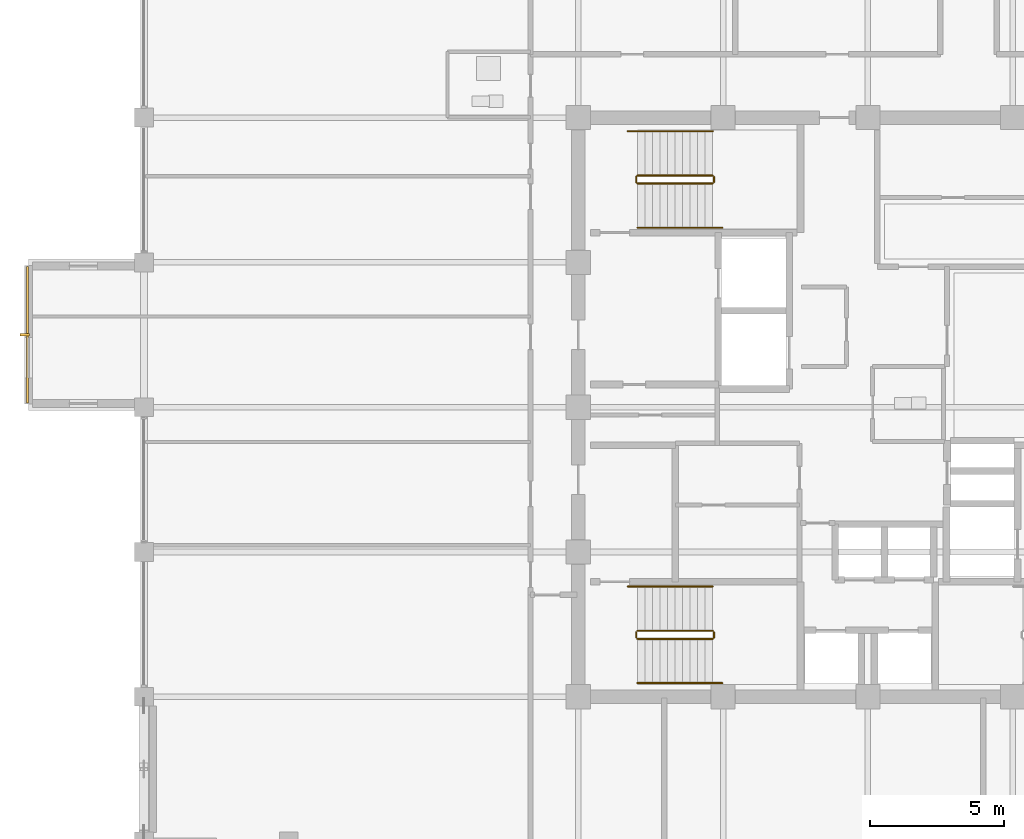
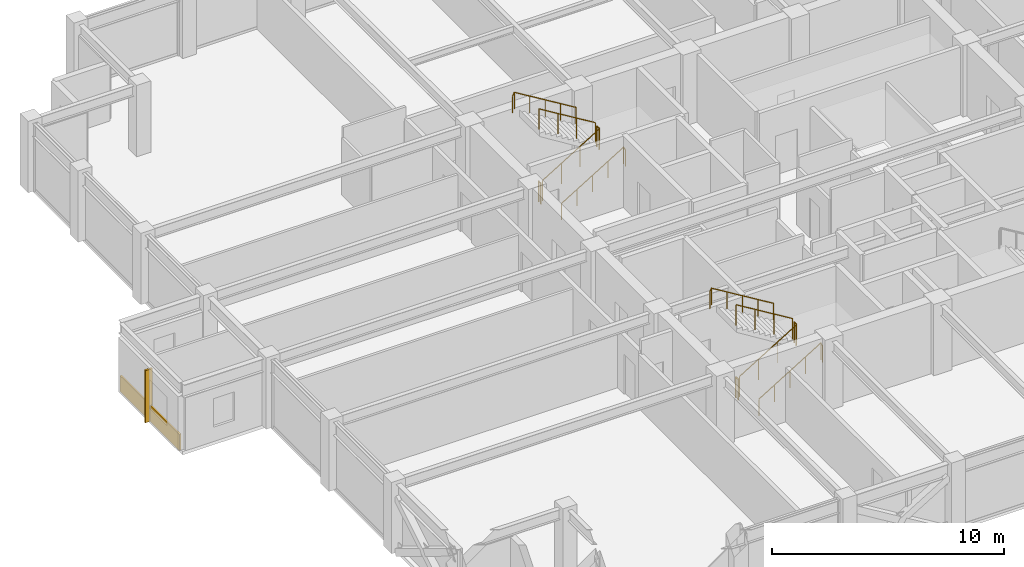
# One storey, part 29 of 31: 12 railings, 1 covering, 1 shading device.
"""IFC4 building model written with IfcOpenShell, lengths in metres."""

from ifc_helpers import new_model, si_unit, direction, frame, origin, origin_2d, place, context, subcontext, project, spatial, rectangle, circle, extrude, material, layer, layer_set, type_object, element, save


model = new_model("IFC4")

# Units and contexts
model_context = context("Model", 3, precision=1e-05, world=origin(), true_north=direction((0.0, 1.0)))
body_context = subcontext(model_context, "Body", "Model", "MODEL_VIEW")
ifc_project = project(units=[si_unit("LENGTHUNIT", "METRE"), si_unit("AREAUNIT", "SQUARE_METRE"), si_unit("VOLUMEUNIT", "CUBIC_METRE"), si_unit("PLANEANGLEUNIT", "RADIAN"), si_unit("MASSUNIT", "GRAM", prefix="KILO")], contexts=[model_context])

# Site, building, storey
site_placement = place(None, origin())
site = spatial("IfcSite", under=ifc_project, at=site_placement, CompositionType="ELEMENT")
building_placement = place(site_placement, origin())
building = spatial("IfcBuilding", under=site, at=building_placement, Name="Surkhivell Harbour Commons", CompositionType="ELEMENT")
storey_placement = place(building_placement, frame((0.0, 0.0, 322.5)))
storey = spatial("IfcBuildingStorey", under=building, at=storey_placement, Name="L84", CompositionType="ELEMENT", Elevation=322.5)

# Covering
ifc_material_1 = material(Name="Emerald-teal enamelled aluminium cassette panel", Category="aluminium")
ifc_layer = layer(ifc_material_1, 0.068115234375)
ifc_layer_set = layer_set([ifc_layer], Name="Emerald-teal enamelled aluminium cassette panel")
covering_type = type_object("IfcCoveringType", Name="COV-CLAD-EME", PredefinedType="CLADDING", material=ifc_layer_set)
covering_placement = place(storey_placement, frame((-31.340087890625, 2.699951171875, 0.0), z_axis=(0.0, 0.0, 1.0), x_axis=(1.0, 0.0, 0.0)))
element("IfcCovering", 1, at=covering_placement, inside=storey, type_object=covering_type, Name="L84 Coloured-Panel Box Spandrel Cassette 02", PredefinedType="CLADDING", context=body_context, shape_type="SweptSolid", body=[
    extrude(rectangle(XDim=0.080078125, YDim=5.10009765625, at=origin_2d()), origin(), (0.0, 0.0, 1.0), 0.840087890625),
])

# Railings
ifc_material_2 = material(Name="Galvanised and painted steel S355 guard rail", Category="steel")
railing_type_1 = type_object("IfcRailingType", Name="RAL-ST-GRD1100", PredefinedType="GUARDRAIL", material=ifc_material_2)
railing_1_placement = place(storey_placement, frame((-8.590087890625, 8.340087890625, 0.17041015625)))
element("IfcRailing", 2, at=railing_1_placement, inside=storey, type_object=railing_type_1, Name="L84 ST1 stair guard 1", PredefinedType="GUARDRAIL", context=body_context, shape_type="SweptSolid", body=[
    extrude(circle(Radius=0.02392578125, at=origin_2d()), frame((0.0, 0.0, 1.076171875), z_axis=(0.854169791009, 0.0, 0.51999420009), x_axis=(0.0, 1.0, 0.0)), (0.0, 0.0, 1.0), 3.278076171875),
    extrude(circle(Radius=0.02099609375, at=origin_2d()), origin(), (0.0, 0.0, 1.0), 1.052001953125),
    extrude(circle(Radius=0.02099609375, at=origin_2d()), frame((0.933349609375, 0.0, 0.568115234375)), (0.0, 0.0, 1.0), 1.052001953125),
    extrude(circle(Radius=0.02099609375, at=origin_2d()), frame((1.86669921875, 0.0, 1.136474609375)), (0.0, 0.0, 1.0), 1.052001953125),
    extrude(circle(Radius=0.02099609375, at=origin_2d()), frame((2.800048828125, 0.0, 1.70458984375)), (0.0, 0.0, 1.0), 1.052001953125),
])
railing_2_placement = place(storey_placement, frame((-5.739990234375, 8.389892578125, 1.875)))
element("IfcRailing", 3, at=railing_2_placement, inside=storey, type_object=railing_type_1, Name="L84 ST1 stair guard 2", PredefinedType="GUARDRAIL", context=body_context, shape_type="SweptSolid", body=[
    extrude(circle(Radius=0.02392578125, at=origin_2d()), frame((0.0, 0.0, 1.076171875), z_axis=(0.0, 1.0, 0.0), x_axis=(-1.0, 0.0, 0.0)), (0.0, 0.0, 1.0), 0.2001953125),
    extrude(circle(Radius=0.02099609375, at=origin_2d()), origin(), (0.0, 0.0, 1.0), 1.052001953125),
    extrude(circle(Radius=0.02099609375, at=origin_2d()), frame((0.0, 0.2001953125, 0.0)), (0.0, 0.0, 1.0), 1.052001953125),
])
railing_3_placement = place(storey_placement, frame((-5.7900390625, 8.639892578125, 2.04541015625)))
element("IfcRailing", 4, at=railing_3_placement, inside=storey, type_object=railing_type_1, Name="L84 ST1 stair guard 3", PredefinedType="GUARDRAIL", context=body_context, shape_type="SweptSolid", body=[
    extrude(circle(Radius=0.02392578125, at=origin_2d()), frame((0.0, 0.0, 1.076171875), z_axis=(-0.854169791009, 0.0, 0.51999420009), x_axis=(0.0, -1.0, 0.0)), (0.0, 0.0, 1.0), 3.278076171875),
    extrude(circle(Radius=0.02099609375, at=origin_2d()), origin(), (0.0, 0.0, 1.0), 1.052001953125),
    extrude(circle(Radius=0.02099609375, at=origin_2d()), frame((-0.933349609375, 0.0, 0.568115234375)), (0.0, 0.0, 1.0), 1.052001953125),
    extrude(circle(Radius=0.02099609375, at=origin_2d()), frame((-1.86669921875, 0.0, 1.136474609375)), (0.0, 0.0, 1.0), 1.052001953125),
    extrude(circle(Radius=0.02099609375, at=origin_2d()), frame((-2.800048828125, 0.0, 1.70458984375)), (0.0, 0.0, 1.0), 1.052001953125),
])
railing_4_placement = place(storey_placement, frame((-8.639892578125, 8.389892578125, 0.0)))
element("IfcRailing", 5, at=railing_4_placement, inside=storey, type_object=railing_type_1, Name="L84 ST1 stair guard 4", PredefinedType="GUARDRAIL", context=body_context, shape_type="SweptSolid", body=[
    extrude(circle(Radius=0.02392578125, at=origin_2d()), frame((0.0, 0.0, 1.076171875), z_axis=(0.0, 1.0, 0.0), x_axis=(-1.0, 0.0, 0.0)), (0.0, 0.0, 1.0), 0.2001953125),
    extrude(circle(Radius=0.02099609375, at=origin_2d()), origin(), (0.0, 0.0, 1.0), 1.052001953125),
    extrude(circle(Radius=0.02099609375, at=origin_2d()), frame((0.0, 0.2001953125, 0.0)), (0.0, 0.0, 1.0), 1.052001953125),
])
railing_5_placement = place(storey_placement, frame((-8.590087890625, -8.639892578125, 0.17041015625)))
element("IfcRailing", 6, at=railing_5_placement, inside=storey, type_object=railing_type_1, Name="L84 ST3 stair guard 1", PredefinedType="GUARDRAIL", context=body_context, shape_type="SweptSolid", body=[
    extrude(circle(Radius=0.02392578125, at=origin_2d()), frame((0.0, 0.0, 1.076171875), z_axis=(0.854169791009, 0.0, 0.51999420009), x_axis=(0.0, 1.0, 0.0)), (0.0, 0.0, 1.0), 3.278076171875),
    extrude(circle(Radius=0.02099609375, at=origin_2d()), origin(), (0.0, 0.0, 1.0), 1.052001953125),
    extrude(circle(Radius=0.02099609375, at=origin_2d()), frame((0.933349609375, 0.0, 0.568115234375)), (0.0, 0.0, 1.0), 1.052001953125),
    extrude(circle(Radius=0.02099609375, at=origin_2d()), frame((1.86669921875, 0.0, 1.136474609375)), (0.0, 0.0, 1.0), 1.052001953125),
    extrude(circle(Radius=0.02099609375, at=origin_2d()), frame((2.800048828125, 0.0, 1.70458984375)), (0.0, 0.0, 1.0), 1.052001953125),
])
railing_6_placement = place(storey_placement, frame((-5.739990234375, -8.590087890625, 1.875)))
element("IfcRailing", 7, at=railing_6_placement, inside=storey, type_object=railing_type_1, Name="L84 ST3 stair guard 2", PredefinedType="GUARDRAIL", context=body_context, shape_type="SweptSolid", body=[
    extrude(circle(Radius=0.02392578125, at=origin_2d()), frame((0.0, 0.0, 1.076171875), z_axis=(0.0, 1.0, 0.0), x_axis=(-1.0, 0.0, 0.0)), (0.0, 0.0, 1.0), 0.2001953125),
    extrude(circle(Radius=0.02099609375, at=origin_2d()), origin(), (0.0, 0.0, 1.0), 1.052001953125),
    extrude(circle(Radius=0.02099609375, at=origin_2d()), frame((0.0, 0.2001953125, 0.0)), (0.0, 0.0, 1.0), 1.052001953125),
])
railing_7_placement = place(storey_placement, frame((-5.7900390625, -8.340087890625, 2.04541015625)))
element("IfcRailing", 8, at=railing_7_placement, inside=storey, type_object=railing_type_1, Name="L84 ST3 stair guard 3", PredefinedType="GUARDRAIL", context=body_context, shape_type="SweptSolid", body=[
    extrude(circle(Radius=0.02392578125, at=origin_2d()), frame((0.0, 0.0, 1.076171875), z_axis=(-0.854169791009, 0.0, 0.51999420009), x_axis=(0.0, -1.0, 0.0)), (0.0, 0.0, 1.0), 3.278076171875),
    extrude(circle(Radius=0.02099609375, at=origin_2d()), origin(), (0.0, 0.0, 1.0), 1.052001953125),
    extrude(circle(Radius=0.02099609375, at=origin_2d()), frame((-0.933349609375, 0.0, 0.568115234375)), (0.0, 0.0, 1.0), 1.052001953125),
    extrude(circle(Radius=0.02099609375, at=origin_2d()), frame((-1.86669921875, 0.0, 1.136474609375)), (0.0, 0.0, 1.0), 1.052001953125),
    extrude(circle(Radius=0.02099609375, at=origin_2d()), frame((-2.800048828125, 0.0, 1.70458984375)), (0.0, 0.0, 1.0), 1.052001953125),
])
railing_8_placement = place(storey_placement, frame((-8.639892578125, -8.590087890625, 0.0)))
element("IfcRailing", 9, at=railing_8_placement, inside=storey, type_object=railing_type_1, Name="L84 ST3 stair guard 4", PredefinedType="GUARDRAIL", context=body_context, shape_type="SweptSolid", body=[
    extrude(circle(Radius=0.02392578125, at=origin_2d()), frame((0.0, 0.0, 1.076171875), z_axis=(0.0, 1.0, 0.0), x_axis=(-1.0, 0.0, 0.0)), (0.0, 0.0, 1.0), 0.2001953125),
    extrude(circle(Radius=0.02099609375, at=origin_2d()), origin(), (0.0, 0.0, 1.0), 1.052001953125),
    extrude(circle(Radius=0.02099609375, at=origin_2d()), frame((0.0, 0.2001953125, 0.0)), (0.0, 0.0, 1.0), 1.052001953125),
])
ifc_material_3 = material(Name="Brushed stainless steel S355 handrail", Category="steel")
railing_type_2 = type_object("IfcRailingType", Name="RAL-ST-HND900", PredefinedType="HANDRAIL", material=ifc_material_3)
railing_9_placement = place(storey_placement, frame((-8.590087890625, 6.68994140625, 0.17041015625)))
element("IfcRailing", 10, at=railing_9_placement, inside=storey, type_object=railing_type_2, Name="L84 ST1 stair handrail 1", PredefinedType="HANDRAIL", context=body_context, shape_type="SweptSolid", body=[
    extrude(circle(Radius=0.02392578125, at=origin_2d()), frame((0.0, 0.0, 0.8759765625), z_axis=(0.854177636135, 0.0, 0.519981313056), x_axis=(0.0, 1.0, 0.0)), (0.0, 0.0, 1.0), 3.60595703125),
    extrude(circle(Radius=0.02392578125, at=origin_2d()), frame((3.080078125, 0.0, 2.7509765625), z_axis=(0.425297416671, 0.0, -0.905053648892), x_axis=(0.0, 1.0, 0.0)), (0.0, 0.0, 1.0), 0.188232421875),
    extrude(circle(Radius=0.02099609375, at=origin_2d()), origin(), (0.0, 0.0, 1.0), 0.851806640625),
    extrude(circle(Radius=0.02099609375, at=origin_2d()), frame((0.77001953125, 0.0, 0.46875)), (0.0, 0.0, 1.0), 0.851806640625),
    extrude(circle(Radius=0.02099609375, at=origin_2d()), frame((1.5400390625, 0.0, 0.9375)), (0.0, 0.0, 1.0), 0.851806640625),
    extrude(circle(Radius=0.02099609375, at=origin_2d()), frame((2.31005859375, 0.0, 1.40625)), (0.0, 0.0, 1.0), 0.851806640625),
    extrude(circle(Radius=0.02099609375, at=origin_2d()), frame((3.080078125, 0.0, 1.875)), (0.0, 0.0, 1.0), 0.851806640625),
    extrude(circle(Radius=0.02099609375, at=origin_2d()), frame((3.16015625, 0.0, 1.70458984375)), (0.0, 0.0, 1.0), 0.851806640625),
])
railing_10_placement = place(storey_placement, frame((-5.7900390625, 10.2900390625, 2.04541015625)))
element("IfcRailing", 11, at=railing_10_placement, inside=storey, type_object=railing_type_2, Name="L84 ST1 stair handrail 2", PredefinedType="HANDRAIL", context=body_context, shape_type="SweptSolid", body=[
    extrude(circle(Radius=0.02392578125, at=origin_2d()), frame((0.0, 0.0, 0.8759765625), z_axis=(-0.854177636135, 0.0, 0.519981313056), x_axis=(0.0, -1.0, 0.0)), (0.0, 0.0, 1.0), 3.60595703125),
    extrude(circle(Radius=0.02392578125, at=origin_2d()), frame((-3.080078125, 0.0, 2.7509765625), z_axis=(-0.424234432967, 0.0, -0.905552398199), x_axis=(0.0, -1.0, 0.0)), (0.0, 0.0, 1.0), 0.188232421875),
    extrude(circle(Radius=0.02099609375, at=origin_2d()), origin(), (0.0, 0.0, 1.0), 0.851806640625),
    extrude(circle(Radius=0.02099609375, at=origin_2d()), frame((-0.77001953125, 0.0, 0.46875)), (0.0, 0.0, 1.0), 0.851806640625),
    extrude(circle(Radius=0.02099609375, at=origin_2d()), frame((-1.5400390625, 0.0, 0.9375)), (0.0, 0.0, 1.0), 0.851806640625),
    extrude(circle(Radius=0.02099609375, at=origin_2d()), frame((-2.31005859375, 0.0, 1.40625)), (0.0, 0.0, 1.0), 0.851806640625),
    extrude(circle(Radius=0.02099609375, at=origin_2d()), frame((-3.080078125, 0.0, 1.875)), (0.0, 0.0, 1.0), 0.851806640625),
    extrude(circle(Radius=0.02099609375, at=origin_2d()), frame((-3.159912109375, 0.0, 1.70458984375)), (0.0, 0.0, 1.0), 0.851806640625),
])
railing_11_placement = place(storey_placement, frame((-8.590087890625, -10.2900390625, 0.17041015625)))
element("IfcRailing", 12, at=railing_11_placement, inside=storey, type_object=railing_type_2, Name="L84 ST3 stair handrail 1", PredefinedType="HANDRAIL", context=body_context, shape_type="SweptSolid", body=[
    extrude(circle(Radius=0.02392578125, at=origin_2d()), frame((0.0, 0.0, 0.8759765625), z_axis=(0.854177636135, 0.0, 0.519981313056), x_axis=(0.0, 1.0, 0.0)), (0.0, 0.0, 1.0), 3.60595703125),
    extrude(circle(Radius=0.02392578125, at=origin_2d()), frame((3.080078125, 0.0, 2.7509765625), z_axis=(0.425297416671, 0.0, -0.905053648892), x_axis=(0.0, 1.0, 0.0)), (0.0, 0.0, 1.0), 0.188232421875),
    extrude(circle(Radius=0.02099609375, at=origin_2d()), origin(), (0.0, 0.0, 1.0), 0.851806640625),
    extrude(circle(Radius=0.02099609375, at=origin_2d()), frame((0.77001953125, 0.0, 0.46875)), (0.0, 0.0, 1.0), 0.851806640625),
    extrude(circle(Radius=0.02099609375, at=origin_2d()), frame((1.5400390625, 0.0, 0.9375)), (0.0, 0.0, 1.0), 0.851806640625),
    extrude(circle(Radius=0.02099609375, at=origin_2d()), frame((2.31005859375, 0.0, 1.40625)), (0.0, 0.0, 1.0), 0.851806640625),
    extrude(circle(Radius=0.02099609375, at=origin_2d()), frame((3.080078125, 0.0, 1.875)), (0.0, 0.0, 1.0), 0.851806640625),
    extrude(circle(Radius=0.02099609375, at=origin_2d()), frame((3.16015625, 0.0, 1.70458984375)), (0.0, 0.0, 1.0), 0.851806640625),
])
railing_12_placement = place(storey_placement, frame((-5.7900390625, -6.68994140625, 2.04541015625)))
element("IfcRailing", 13, at=railing_12_placement, inside=storey, type_object=railing_type_2, Name="L84 ST3 stair handrail 2", PredefinedType="HANDRAIL", context=body_context, shape_type="SweptSolid", body=[
    extrude(circle(Radius=0.02392578125, at=origin_2d()), frame((0.0, 0.0, 0.8759765625), z_axis=(-0.854177636135, 0.0, 0.519981313056), x_axis=(0.0, -1.0, 0.0)), (0.0, 0.0, 1.0), 3.60595703125),
    extrude(circle(Radius=0.02392578125, at=origin_2d()), frame((-3.080078125, 0.0, 2.7509765625), z_axis=(-0.424234432967, 0.0, -0.905552398199), x_axis=(0.0, -1.0, 0.0)), (0.0, 0.0, 1.0), 0.188232421875),
    extrude(circle(Radius=0.02099609375, at=origin_2d()), origin(), (0.0, 0.0, 1.0), 0.851806640625),
    extrude(circle(Radius=0.02099609375, at=origin_2d()), frame((-0.77001953125, 0.0, 0.46875)), (0.0, 0.0, 1.0), 0.851806640625),
    extrude(circle(Radius=0.02099609375, at=origin_2d()), frame((-1.5400390625, 0.0, 0.9375)), (0.0, 0.0, 1.0), 0.851806640625),
    extrude(circle(Radius=0.02099609375, at=origin_2d()), frame((-2.31005859375, 0.0, 1.40625)), (0.0, 0.0, 1.0), 0.851806640625),
    extrude(circle(Radius=0.02099609375, at=origin_2d()), frame((-3.080078125, 0.0, 1.875)), (0.0, 0.0, 1.0), 0.851806640625),
    extrude(circle(Radius=0.02099609375, at=origin_2d()), frame((-3.159912109375, 0.0, 1.70458984375)), (0.0, 0.0, 1.0), 0.851806640625),
])

# Shading device
ifc_material_4 = material(Name="Anodised pale-metal aluminium solar fin", Category="aluminium")
shading_device_type = type_object("IfcShadingDeviceType", Name="SHD-FIN-VERT", PredefinedType="USERDEFINED", material=ifc_material_4)
shading_device_placement = place(storey_placement, frame((-31.43994140625, 2.699951171875, 0.0048828125), z_axis=(0.0, 0.0, 1.0), x_axis=(1.0, 0.0, 0.0)))
element("IfcShadingDevice", 14, at=shading_device_placement, inside=storey, type_object=shading_device_type, Name="L84 Coloured-Box Solar Fin 02", ObjectType="FIN", PredefinedType="USERDEFINED", context=body_context, shape_type="SweptSolid", body=[
    extrude(rectangle(XDim=0.360107421875, YDim=0.090087890625, at=origin_2d()), origin(), (0.0, 0.0, 1.0), 2.75),
])

save(model, "model.ifc")
